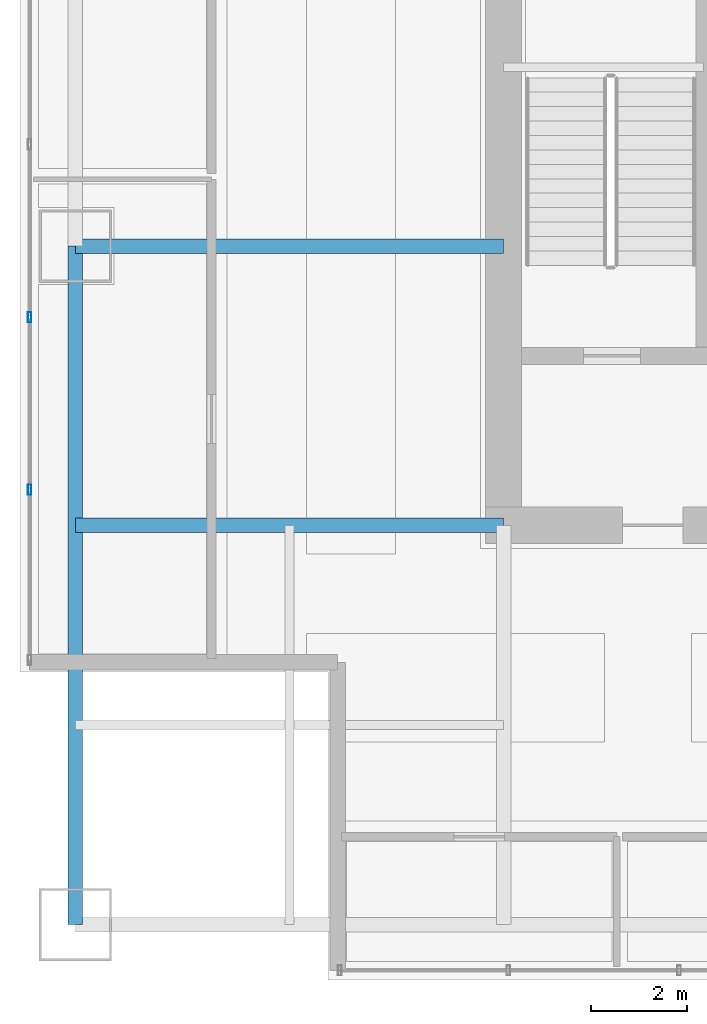
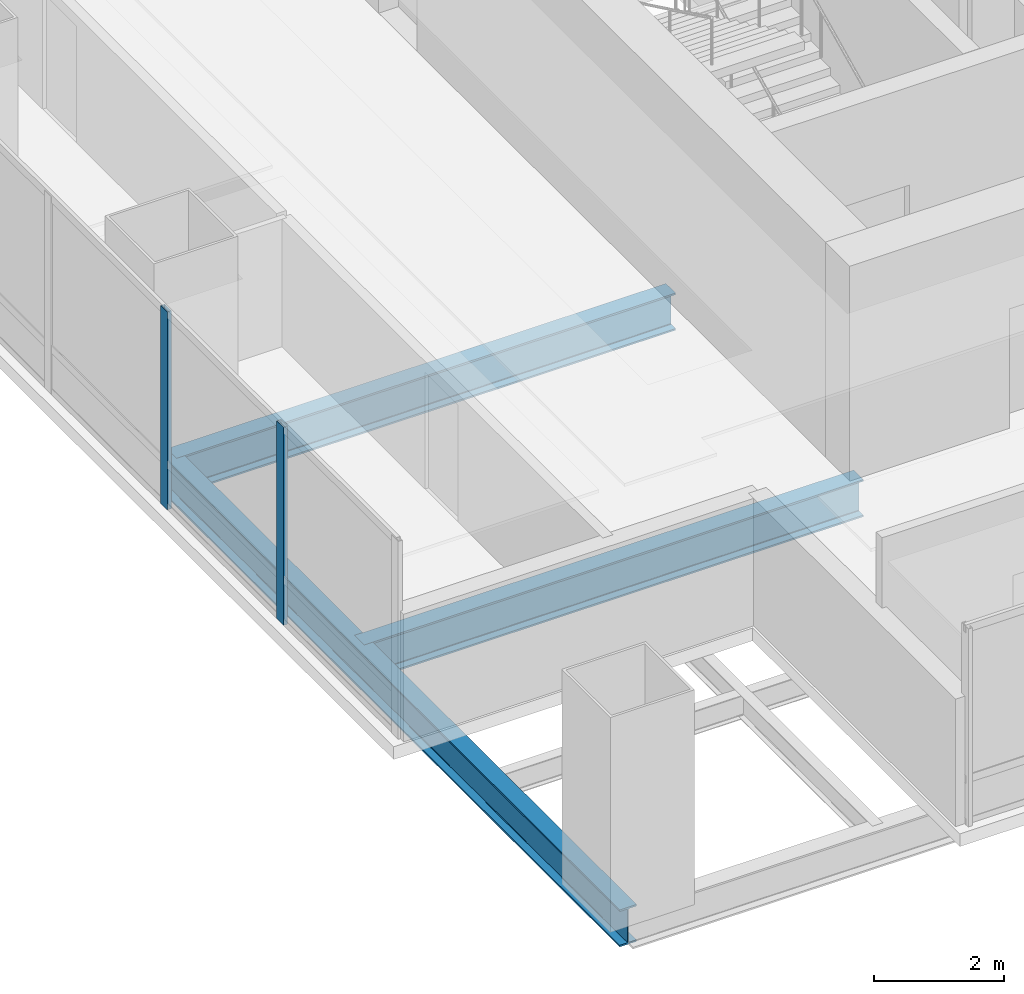
# One storey, part 4 of 33: 3 beams, 2 members, 1 element without a shape of its own.
"""IFC4 building model written with IfcOpenShell, lengths in metres."""

import ifcopenshell
import ifcopenshell.guid

model = None  # the IFC model being written
_history = None  # IfcOwnerHistory: only IFC2X3 demands one
_inside = {}  # id of a spatial element -> (the spatial element, [elements in it])
_under = {}  # id of a project, library or spatial element -> (it, [spatial elements below it])
_declared = {}  # id of a project -> (the project, [libraries it declares])
_typed = {}  # id of a type object -> (the type object, [elements of that type])
_made_of = {}  # id of a material, layer set ... -> (it, [elements and type objects made of it])


def new_model(schema):
    """Start an empty IFC model of exactly this schema.

    Asked for "IFC4X3", IfcOpenShell would pick the latest addendum, in which some entities
    have other attributes; the version numbers below select the first issue.
    IFC2X3 requires an IfcOwnerHistory on every rooted entity: one is made here for all.
    """
    global model, _history
    if schema == "IFC4X3":
        model = ifcopenshell.file(schema_version=(4, 3, 0, 0))
    else:
        model = ifcopenshell.file(schema=schema)
    _inside.clear()
    _under.clear()
    _declared.clear()
    _typed.clear()
    _made_of.clear()
    _history = None
    if model.schema == "IFC2X3":
        org = make("IfcOrganization", Name="unknown")
        user = make(
            "IfcPersonAndOrganization",
            ThePerson=make("IfcPerson", FamilyName="unknown"),
            TheOrganization=org,
        )
        app = make(
            "IfcApplication",
            ApplicationDeveloper=org,
            Version="unknown",
            ApplicationFullName="unknown",
            ApplicationIdentifier="unknown",
        )
        _history = make(
            "IfcOwnerHistory",
            OwningUser=user,
            OwningApplication=app,
            ChangeAction="ADDED",
            CreationDate=0,
        )
    return model


def make(cls, **values):
    """One entity of the class cls with the attributes given. An attribute that is None is left unset."""
    return model.create_entity(
        cls, **{name: value for name, value in values.items() if value is not None}
    )


def rooted(cls, **values):
    """An entity with a GlobalId (a new one), such as an element, a storey or a relation."""
    return make(cls, GlobalId=ifcopenshell.guid.new(), OwnerHistory=_history, **values)


def si_unit(unit_type, name, prefix=None):
    """IfcSIUnit, for example si_unit("LENGTHUNIT", "METRE", prefix="MILLI")."""
    return make("IfcSIUnit", UnitType=unit_type, Prefix=prefix, Name=name)


def assignment(units):
    """IfcUnitAssignment: the units of a project."""
    return None if units is None else make("IfcUnitAssignment", Units=units)


def point(xyz):
    """IfcCartesianPoint."""
    return None if xyz is None else make("IfcCartesianPoint", Coordinates=xyz)


def direction(xyz):
    """IfcDirection."""
    return None if xyz is None else make("IfcDirection", DirectionRatios=xyz)


def frame(location, z_axis=None, x_axis=None):
    """IfcAxis2Placement3D, a coordinate frame: its origin and axes. An axis left out is left unset."""
    return make(
        "IfcAxis2Placement3D",
        Location=point(location),
        Axis=direction(z_axis),
        RefDirection=direction(x_axis),
    )


def frame_2d(location, x_axis=None):
    """IfcAxis2Placement2D, a coordinate frame in the plane: its origin and x axis."""
    return make(
        "IfcAxis2Placement2D", Location=point(location), RefDirection=direction(x_axis)
    )


def origin():
    """The frame at (0, 0, 0) with its axes left unset."""
    return frame((0.0, 0.0, 0.0))


def origin_2d():
    """The frame at (0, 0) in the plane with its x axis left unset."""
    return frame_2d((0.0, 0.0))


def place(relative_to, where):
    """IfcLocalPlacement: puts the frame where relative to a parent placement (None: the world)."""
    return make(
        "IfcLocalPlacement", PlacementRelTo=relative_to, RelativePlacement=where
    )


def context(
    kind, dimensions, precision=None, world=None, true_north=None, identifier=None
):
    """IfcGeometricRepresentationContext, for example the 3D "Model" context."""
    return make(
        "IfcGeometricRepresentationContext",
        ContextIdentifier=identifier,
        ContextType=kind,
        CoordinateSpaceDimension=dimensions,
        Precision=precision,
        WorldCoordinateSystem=world,
        TrueNorth=true_north,
    )


def subcontext(parent, identifier, kind, view, scale=None):
    """IfcGeometricRepresentationSubContext, for example "Body" below "Model"."""
    return make(
        "IfcGeometricRepresentationSubContext",
        ContextIdentifier=identifier,
        ContextType=kind,
        ParentContext=parent,
        TargetScale=scale,
        TargetView=view,
    )


def project(units=None, contexts=None):
    """IfcProject with its units and contexts."""
    return rooted(
        "IfcProject",
        Name="project",
        RepresentationContexts=contexts,
        UnitsInContext=assignment(units),
    )


def spatial(cls, under=None, at=None, **own):
    """A site, building, storey or space (cls), placed at a placement, below another one or the project."""
    s = rooted(cls, ObjectPlacement=at, **own)
    if under is not None:
        _under.setdefault(under.id(), (under, []))[1].append(s)
    return s


def profile(cls, at=None, kind="AREA", **sizes):
    """A parametric profile (cls). Its sizes go by their IFC names, for example OverallWidth=200.0."""
    return make(cls, ProfileType=kind, Position=at, **sizes)


def hollow_rectangle(**sizes):
    """IfcRectangleHollowProfileDef."""
    return profile("IfcRectangleHollowProfileDef", **sizes)


def i_section(**sizes):
    """IfcIShapeProfileDef."""
    return profile("IfcIShapeProfileDef", **sizes)


def extrude(swept, where, along, depth):
    """IfcExtrudedAreaSolid: the profile swept, set in the frame where, extruded along a direction by depth."""
    return make(
        "IfcExtrudedAreaSolid",
        SweptArea=swept,
        Position=where,
        ExtrudedDirection=direction(along),
        Depth=depth,
    )


def shape(context_of_items, identifier, shape_type, items):
    """IfcShapeRepresentation: the items that make up one representation, for example the "Body"."""
    return make(
        "IfcShapeRepresentation",
        ContextOfItems=context_of_items,
        RepresentationIdentifier=identifier,
        RepresentationType=shape_type,
        Items=items,
    )


def material(Name=None, Category=None):
    """IfcMaterial."""
    return make("IfcMaterial", Name=Name, Category=Category)


def material_profile(
    of_material, cross_section, Name=None, Category=None, Priority=None
):
    """IfcMaterialProfile: a cross section and its material."""
    return make(
        "IfcMaterialProfile",
        Name=Name,
        Material=of_material,
        Profile=cross_section,
        Priority=Priority,
        Category=Category,
    )


def profile_set(profiles, Name=None, composite=None):
    """IfcMaterialProfileSet."""
    return make(
        "IfcMaterialProfileSet",
        Name=Name,
        MaterialProfiles=profiles,
        CompositeProfile=composite,
    )


def made_of(thing, what):
    """Note that an element or type object is made of a material, layer set ...; save() writes the relation."""
    if what is not None:
        _made_of.setdefault(what.id(), (what, []))[1].append(thing)
    return thing


def type_object(cls, material=None, **own):
    """A type object (cls), such as IfcWallType, which elements share."""
    return made_of(rooted(cls, **own), material)


def element(
    cls,
    number,
    at=None,
    inside=None,
    cuts=None,
    type_object=None,
    material=None,
    context=None,
    identifier="Body",
    shape_type=None,
    held_by="IfcProductDefinitionShape",
    body=None,
    shapes=None,
    **own,
):
    """One element of the class cls, such as IfcWall. Its Tag is "e" and its number.

    at: its placement. inside: the storey or other place that contains it. cuts: it is an
    opening in that element (IfcRelVoidsElement). A single representation is given by context,
    identifier, shape_type and body (its items); several are given by shapes. held_by: the class
    of the entity that holds the representations. save() writes the other relations.
    """
    e = rooted(cls, Tag="e%d" % number, ObjectPlacement=at, **own)
    if body is not None:
        shapes = [shape(context, identifier, shape_type, body)]
    if shapes is not None:
        e.Representation = make(held_by, Representations=shapes)
    if inside is not None:
        _inside.setdefault(inside.id(), (inside, []))[1].append(e)
    if cuts is not None:
        rooted(
            "IfcRelVoidsElement", RelatingBuildingElement=cuts, RelatedOpeningElement=e
        )
    if type_object is not None:
        _typed.setdefault(type_object.id(), (type_object, []))[1].append(e)
    return made_of(e, material)


def aggregate(whole, parts):
    """IfcRelAggregates: a whole, such as a stair, and the parts it consists of."""
    return rooted("IfcRelAggregates", RelatingObject=whole, RelatedObjects=parts)


def save(model, path):
    """Write the relations noted so far, then the file.

    IfcRelAggregates (storeys below a building ...), IfcRelContainedInSpatialStructure (elements
    in a storey), IfcRelDefinesByType, IfcRelAssociatesMaterial and IfcRelDeclares: one each for
    every whole, place, type object, material and project.
    """
    for whole, parts in _under.values():
        aggregate(whole, parts)
    for where, things in _inside.values():
        rooted(
            "IfcRelContainedInSpatialStructure",
            RelatedElements=things,
            RelatingStructure=where,
        )
    for kind, things in _typed.values():
        rooted("IfcRelDefinesByType", RelatedObjects=things, RelatingType=kind)
    for what, things in _made_of.values():
        rooted("IfcRelAssociatesMaterial", RelatedObjects=things, RelatingMaterial=what)
    for by, libraries in _declared.values():
        rooted("IfcRelDeclares", RelatingContext=by, RelatedDefinitions=libraries)
    model.write(path)


model = new_model("IFC4")

# Units and contexts
model_context = context("Model", 3, precision=1e-05, world=origin(), true_north=direction((0.0, 1.0)))
body_context = subcontext(model_context, "Body", "Model", "MODEL_VIEW")
ifc_project = project(units=[si_unit("LENGTHUNIT", "METRE"), si_unit("AREAUNIT", "SQUARE_METRE"), si_unit("VOLUMEUNIT", "CUBIC_METRE"), si_unit("PLANEANGLEUNIT", "RADIAN"), si_unit("MASSUNIT", "GRAM", prefix="KILO")], contexts=[model_context])

# Site, building, storey
site_placement = place(None, origin())
site = spatial("IfcSite", under=ifc_project, at=site_placement, CompositionType="ELEMENT")
building_placement = place(site_placement, origin())
building = spatial("IfcBuilding", under=site, at=building_placement, Name="Punatoya Terracotta Tower", CompositionType="ELEMENT")
storey_placement = place(building_placement, frame((0.0, 0.0, 121.35009765625)))
storey = spatial("IfcBuildingStorey", under=building, at=storey_placement, Name="L28", CompositionType="ELEMENT", Elevation=121.35009765625)

# Beams
ifc_material_1 = material(Name="Steel S355", Category="steel")
ifc_material_profile_1 = material_profile(ifc_material_1, i_section(OverallWidth=0.300048828125, OverallDepth=0.699951171875, WebThickness=0.01708984375, FlangeThickness=0.031982421875, FilletRadius=0.01806640625, at=origin_2d()))
ifc_profile_set_1 = profile_set([ifc_material_profile_1], Name="Steel S355")
beam_type = type_object("IfcBeamType", Name="BM-PRI-700", PredefinedType="BEAM", material=ifc_profile_set_1)
beam_placement = place(storey_placement, frame((-19.10009765625, -17.5, -0.590087890625), z_axis=(0.0, 1.0, 0.0), x_axis=(-1.0, 0.0, 0.0)))
element("IfcBeam", 1, at=beam_placement, inside=storey, type_object=beam_type, Name="BM-L28-RG-W1", PredefinedType="BEAM", context=body_context, shape_type="SweptSolid", body=[
    extrude(i_section(OverallWidth=0.300048828125, OverallDepth=0.699951171875, WebThickness=0.01708984375, FlangeThickness=0.031982421875, FilletRadius=0.01806640625, at=origin_2d()), origin(), (0.0, 0.0, 1.0), 14.10009765625),
])
for number, where, z_axis, x_axis, name in (
    (2, (-19.10009765625, -9.199951171875, -0.590087890625), (1.0, 0.0, 0.0), (0.0, 1.0, 0.0), "BM-L28-PR-WS"),
    (3, (-19.10009765625, -3.39990234375, -0.590087890625), (1.0, 0.0, 0.0), (0.0, 1.0, 0.0), "BM-L28-PR-WD"),
):
    element("IfcBeam", number, at=place(storey_placement, frame(where, z_axis=z_axis, x_axis=x_axis)), inside=storey, type_object=beam_type, Name=name, PredefinedType="BEAM", context=body_context, shape_type="SweptSolid", body=[
        extrude(i_section(OverallWidth=0.300048828125, OverallDepth=0.699951171875, WebThickness=0.01708984375, FlangeThickness=0.031982421875, FilletRadius=0.01806640625, at=origin_2d()), origin(), (0.0, 0.0, 1.0), 8.900146484375),
    ])

# Curtain wall, members
ifc_material_2 = material(Name="Aluminium 6063-T6 + Double Low-E Glass", Category="aluminium")
curtain_wall_type = type_object("IfcCurtainWallType", Name="CW-M1", PredefinedType="NOTDEFINED", material=ifc_material_2)
curtain_wall_placement = place(storey_placement, origin())
curtain_wall = element("IfcCurtainWall", 4, at=curtain_wall_placement, inside=storey, type_object=curtain_wall_type, Name="L28 Curtain Wall CW-L28-W12-1", PredefinedType="NOTDEFINED")
ifc_material_3 = material(Name="Aluminium 6063-T6", Category="aluminium")
ifc_material_profile_2 = material_profile(ifc_material_3, hollow_rectangle(XDim=0.074951171875, YDim=0.2099609375, WallThickness=0.00439453125, at=origin_2d()))
ifc_profile_set_2 = profile_set([ifc_material_profile_2], Name="Aluminium 6063-T6")
member_type = type_object("IfcMemberType", Name="CW-MUL-M1", PredefinedType="MULLION", material=ifc_profile_set_2)
member_1_placement = place(storey_placement, frame((-20.050048828125, -4.875, 0.0), z_axis=(0.0, 0.0, 1.0), x_axis=(1.0, 0.0, 0.0)))
member_1 = element("IfcMember", 5, at=member_1_placement, type_object=member_type, Name="CW-L28-W12-1 Mullion 07", PredefinedType="MULLION", context=body_context, shape_type="SweptSolid", body=[
    extrude(hollow_rectangle(XDim=0.074951171875, YDim=0.2099609375, WallThickness=0.00439453125, at=origin_2d()), origin(), (0.0, 0.0, 1.0), 3.72998046875),
])
member_2_placement = place(storey_placement, frame((-20.050048828125, -8.462646484375, 0.0), z_axis=(0.0, 0.0, 1.0), x_axis=(1.0, 0.0, 0.0)))
member_2 = element("IfcMember", 6, at=member_2_placement, type_object=member_type, Name="CW-L28-W12-1 Mullion 08", PredefinedType="MULLION", context=body_context, shape_type="SweptSolid", body=[
    extrude(hollow_rectangle(XDim=0.074951171875, YDim=0.2099609375, WallThickness=0.00439453125, at=origin_2d()), origin(), (0.0, 0.0, 1.0), 3.72998046875),
])
aggregate(curtain_wall, [member_1, member_2])

save(model, "model.ifc")
